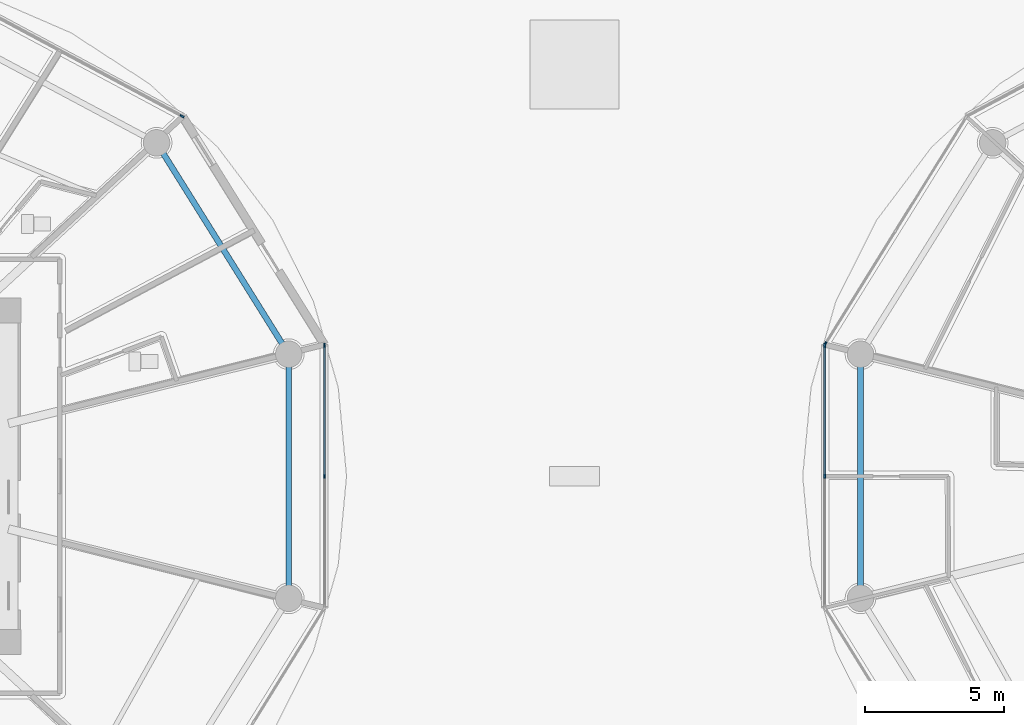
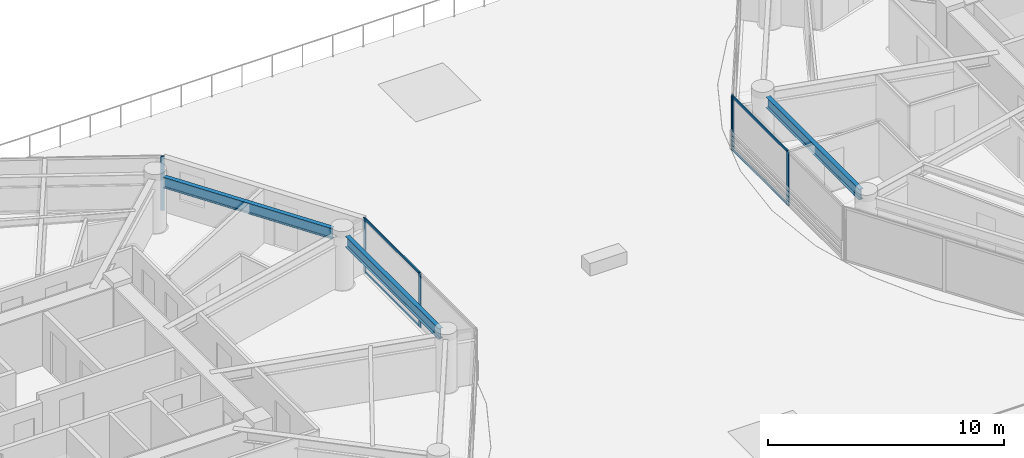
# One storey, part 7 of 32: 10 members, 3 beams, 4 elements without a shape of their own.
"""IFC4 building model written with IfcOpenShell, lengths in metres."""

from ifc_helpers import new_model, si_unit, direction, frame, origin, origin_2d, place, context, subcontext, project, spatial, rectangle, i_section, extrude, source, transform, mapped, material, layer, layer_set, material_profile, profile_set, type_object, type_shapes, element, aggregate, save


model = new_model("IFC4")

# Units and contexts
model_context = context("Model", 3, precision=1e-05, world=origin(), true_north=direction((0.0, 1.0)))
body_context = subcontext(model_context, "Body", "Model", "MODEL_VIEW")
ifc_project = project(units=[si_unit("LENGTHUNIT", "METRE"), si_unit("AREAUNIT", "SQUARE_METRE"), si_unit("VOLUMEUNIT", "CUBIC_METRE"), si_unit("PLANEANGLEUNIT", "RADIAN"), si_unit("MASSUNIT", "GRAM", prefix="KILO")], contexts=[model_context])

# Site, building, storey
site_placement = place(None, origin())
site = spatial("IfcSite", under=ifc_project, at=site_placement, CompositionType="ELEMENT")
building_placement = place(site_placement, origin())
building = spatial("IfcBuilding", under=site, at=building_placement, Name="Norrkilde Senior Care Towers", CompositionType="ELEMENT")
storey_placement = place(building_placement, frame((0.0, 0.0, 21.60009765625)))
storey = spatial("IfcBuildingStorey", under=building, at=storey_placement, Name="L05", CompositionType="ELEMENT", Elevation=21.60009765625)

# Beams
ifc_material_1 = material(Name="Steel S355", Category="steel")
ifc_material_profile_1 = material_profile(ifc_material_1, i_section(OverallWidth=0.2099609375, OverallDepth=0.550048828125, WebThickness=0.010986328125, FlangeThickness=0.01708984375, FilletRadius=0.02392578125, at=origin_2d()), Name="IPE 550")
ifc_profile_set_1 = profile_set([ifc_material_profile_1], Name="Steel S355")
beam_type = type_object("IfcBeamType", Name="Perimeter Ring Spandrel Z1 IPE550", PredefinedType="SPANDREL", material=ifc_profile_set_1)
shared_shape_1 = source(origin(), body_context, "Body", "SweptSolid", [
    extrude(i_section(OverallWidth=0.2099609375, OverallDepth=0.550048828125, WebThickness=0.010986328125, FlangeThickness=0.01708984375, FilletRadius=0.02392578125, at=origin_2d()), origin(), (0.0, 0.0, 1.0), 8.090576171875),
])
beam_placement = place(storey_placement, frame((-10.505859375, 4.755859375, 2.514892578125), z_axis=(-0.530004364821, 0.84799491347, 0.0), x_axis=(-0.84799491347, -0.530004364821, 0.0)))
element("IfcBeam", 1, at=beam_placement, inside=storey, type_object=beam_type, Name="L05 Drum W Perimeter Spandrel 01", PredefinedType="SPANDREL", context=body_context, shape_type="MappedRepresentation", body=[
    mapped(shared_shape_1, transform((0.0, 0.0, 0.0), x_axis=(1.0, 0.0, 0.0), y_axis=(0.0, 1.0, 0.0), z_axis=(0.0, 0.0, 1.0), scale=1.0)),
])
shared_shape_2 = source(origin(), body_context, "Body", "SweptSolid", [
    extrude(i_section(OverallWidth=0.2099609375, OverallDepth=0.550048828125, WebThickness=0.010986328125, FlangeThickness=0.01708984375, FilletRadius=0.02392578125, at=origin_2d()), origin(), (0.0, 0.0, 1.0), 7.90380859375),
])
type_shapes(beam_type, [shared_shape_1, shared_shape_2])
for number, where, z_axis, x_axis, name in (
    (2, (-10.275146484375, -3.951904296875, 2.514892578125), (0.0, 1.0, 0.0), (-1.0, 0.0, 0.0), "L05 Drum W Perimeter Spandrel 12"),
    (3, (10.275146484375, 3.951904296875, 2.514892578125), (0.0, -1.0, 0.0), (1.0, 0.0, 0.0), "L05 Drum E Perimeter Spandrel 06"),
):
    element("IfcBeam", number, at=place(storey_placement, frame(where, z_axis=z_axis, x_axis=x_axis)), inside=storey, type_object=beam_type, Name=name, PredefinedType="SPANDREL", context=body_context, shape_type="MappedRepresentation", body=[
        mapped(shared_shape_2, transform((0.0, 0.0, 0.0), x_axis=(1.0, 0.0, 0.0), y_axis=(0.0, 1.0, 0.0), z_axis=(0.0, 0.0, 1.0), scale=1.0)),
    ])

# Curtain wall, member
ifc_material_2 = material(Name="Triple Low-E Insulated Glazing", Category="glass")
ifc_layer = layer(ifc_material_2, 0.199951171875)
ifc_layer_set = layer_set([ifc_layer], Name="Triple Low-E Insulated Glazing")
curtain_wall_type = type_object("IfcCurtainWallType", Name="CW2 Zone 1 Memory Care Curtain Wall", PredefinedType="NOTDEFINED", material=ifc_layer_set)
curtain_wall_1_placement = place(storey_placement, origin())
curtain_wall_1 = element("IfcCurtainWall", 4, at=curtain_wall_1_placement, inside=storey, type_object=curtain_wall_type, Name="L05 Drum W Curtain Wall 01", PredefinedType="NOTDEFINED")
ifc_material_3 = material(Name="Anodised Aluminium", Category="aluminium")
ifc_material_profile_2 = material_profile(ifc_material_3, rectangle(XDim=0.06494140625, YDim=0.159912109375, at=origin_2d()), Name="ALU MULL 65x160")
ifc_profile_set_2 = profile_set([ifc_material_profile_2], Name="Anodised Aluminium")
member_type_1 = type_object("IfcMemberType", Name="Curtain Wall Mullion Z1-Z2 65x160", PredefinedType="MULLION", material=ifc_profile_set_2)
shared_shape_3 = source(origin(), body_context, "Body", "SweptSolid", [
    extrude(rectangle(XDim=0.06494140625, YDim=0.159912109375, at=origin_2d()), origin(), (0.0, 0.0, 1.0), 2.789794921875),
])
type_shapes(member_type_1, [shared_shape_3])
member_1_placement = place(storey_placement, frame((-14.11279296875, 12.941162109375, 0.0), z_axis=(0.0, 0.0, 1.0), x_axis=(0.472607802456, 0.881272866403, 0.0)))
member_1 = element("IfcMember", 5, at=member_1_placement, type_object=member_type_1, Name="CW-2 mullion 3", PredefinedType="MULLION", context=body_context, shape_type="MappedRepresentation", body=[
    mapped(shared_shape_3, transform((0.0, 0.0, 0.0), x_axis=(1.0, 0.0, 0.0), y_axis=(0.0, 1.0, 0.0), z_axis=(0.0, 0.0, 1.0), scale=1.0)),
])
aggregate(curtain_wall_1, [member_1])

# Curtain wall, members
curtain_wall_2_placement = place(storey_placement, origin())
curtain_wall_2 = element("IfcCurtainWall", 6, at=curtain_wall_2_placement, inside=storey, type_object=curtain_wall_type, Name="L05 Drum W Curtain Wall 11", PredefinedType="NOTDEFINED")
member_2_placement = place(storey_placement, frame((-8.990478515625, 4.69873046875, 0.0), z_axis=(0.0, 0.0, 1.0), x_axis=(1.0, 0.0, 0.0)))
member_2 = element("IfcMember", 7, at=member_2_placement, type_object=member_type_1, Name="CW-2 mullion 1", PredefinedType="MULLION", context=body_context, shape_type="MappedRepresentation", body=[
    mapped(shared_shape_3, transform((0.0, 0.0, 0.0), x_axis=(1.0, 0.0, 0.0), y_axis=(0.0, 1.0, 0.0), z_axis=(0.0, 0.0, 1.0), scale=1.0)),
])
member_3_placement = place(storey_placement, frame((-8.990478515625, 0.0, 0.0), z_axis=(0.0, 0.0, 1.0), x_axis=(1.0, 0.0, 0.0)))
member_3 = element("IfcMember", 8, at=member_3_placement, type_object=member_type_1, Name="CW-2 mullion 2", PredefinedType="MULLION", context=body_context, shape_type="MappedRepresentation", body=[
    mapped(shared_shape_3, transform((0.0, 0.0, 0.0), x_axis=(1.0, 0.0, 0.0), y_axis=(0.0, 1.0, 0.0), z_axis=(0.0, 0.0, 1.0), scale=1.0)),
])

# Curtain wall, member
curtain_wall_3_placement = place(storey_placement, origin())
curtain_wall_3 = element("IfcCurtainWall", 9, at=curtain_wall_3_placement, inside=storey, type_object=curtain_wall_type, Name="L05 Drum E Curtain Wall 04", PredefinedType="NOTDEFINED")
member_4_placement = place(storey_placement, frame((9.0078125, 4.7587890625, 0.0), z_axis=(0.0, 0.0, 1.0), x_axis=(-0.849305943117, 0.527900951871, 0.0)))
member_4 = element("IfcMember", 10, at=member_4_placement, type_object=member_type_1, Name="CW-2 mullion 1", PredefinedType="MULLION", context=body_context, shape_type="MappedRepresentation", body=[
    mapped(shared_shape_3, transform((0.0, 0.0, 0.0), x_axis=(1.0, 0.0, 0.0), y_axis=(0.0, 1.0, 0.0), z_axis=(0.0, 0.0, 1.0), scale=1.0)),
])
aggregate(curtain_wall_3, [member_4])

# Curtain wall, members
curtain_wall_4_placement = place(storey_placement, origin())
curtain_wall_4 = element("IfcCurtainWall", 11, at=curtain_wall_4_placement, inside=storey, type_object=curtain_wall_type, Name="L05 Drum E Curtain Wall 05", PredefinedType="NOTDEFINED")
member_5_placement = place(storey_placement, frame((8.990478515625, 0.0, 0.0), z_axis=(0.0, 0.0, 1.0), x_axis=(-1.0, 0.0, 0.0)))
member_5 = element("IfcMember", 12, at=member_5_placement, type_object=member_type_1, Name="CW-2 mullion 2", PredefinedType="MULLION", context=body_context, shape_type="MappedRepresentation", body=[
    mapped(shared_shape_3, transform((0.0, 0.0, 0.0), x_axis=(1.0, 0.0, 0.0), y_axis=(0.0, 1.0, 0.0), z_axis=(0.0, 0.0, 1.0), scale=1.0)),
])
member_6_placement = place(storey_placement, frame((8.990478515625, 4.69873046875, 0.0), z_axis=(0.0, 0.0, 1.0), x_axis=(-1.0, 0.0, 0.0)))
member_6 = element("IfcMember", 13, at=member_6_placement, type_object=member_type_1, Name="CW-2 mullion 3", PredefinedType="MULLION", context=body_context, shape_type="MappedRepresentation", body=[
    mapped(shared_shape_3, transform((0.0, 0.0, 0.0), x_axis=(1.0, 0.0, 0.0), y_axis=(0.0, 1.0, 0.0), z_axis=(0.0, 0.0, 1.0), scale=1.0)),
])

# Member
ifc_material_profile_3 = material_profile(ifc_material_3, rectangle(XDim=0.06005859375, YDim=0.1201171875, at=origin_2d()), Name="ALU TRAN 60x120")
ifc_profile_set_3 = profile_set([ifc_material_profile_3], Name="Anodised Aluminium")
member_type_2 = type_object("IfcMemberType", Name="Curtain Wall Transom Typical 60x120", PredefinedType="USERDEFINED", material=ifc_profile_set_3)
shared_shape_4 = source(origin(), body_context, "Body", "SweptSolid", [
    extrude(rectangle(XDim=0.06005859375, YDim=0.1201171875, at=origin_2d()), origin(), (0.0, 0.0, 1.0), 4.6337890625),
])
type_shapes(member_type_2, [shared_shape_4])
member_7_placement = place(storey_placement, frame((-8.990478515625, 4.666259765625, 0.02978515625), z_axis=(0.0, -1.0, 0.0), x_axis=(1.0, 0.0, 0.0)))
member_7 = element("IfcMember", 14, at=member_7_placement, type_object=member_type_2, Name="CW-2 transom 1.1", ObjectType="TRANSOM", PredefinedType="USERDEFINED", context=body_context, shape_type="MappedRepresentation", body=[
    mapped(shared_shape_4, transform((0.0, 0.0, 0.0), x_axis=(1.0, 0.0, 0.0), y_axis=(0.0, 1.0, 0.0), z_axis=(0.0, 0.0, 1.0), scale=1.0)),
])

member_8_placement = place(storey_placement, frame((-8.990478515625, 4.666259765625, 2.760009765625), z_axis=(0.0, -1.0, 0.0), x_axis=(1.0, 0.0, 0.0)))
member_8 = element("IfcMember", 15, at=member_8_placement, type_object=member_type_2, Name="CW-2 transom 1.2", ObjectType="TRANSOM", PredefinedType="USERDEFINED", context=body_context, shape_type="MappedRepresentation", body=[
    mapped(shared_shape_4, transform((0.0, 0.0, 0.0), x_axis=(1.0, 0.0, 0.0), y_axis=(0.0, 1.0, 0.0), z_axis=(0.0, 0.0, 1.0), scale=1.0)),
])

aggregate(curtain_wall_2, [member_2, member_3, member_7, member_8])

member_9_placement = place(storey_placement, frame((8.990478515625, 0.032470703125, 0.02978515625), z_axis=(0.0, 1.0, 0.0), x_axis=(-1.0, 0.0, 0.0)))
member_9 = element("IfcMember", 16, at=member_9_placement, type_object=member_type_2, Name="CW-2 transom 2.1", ObjectType="TRANSOM", PredefinedType="USERDEFINED", context=body_context, shape_type="MappedRepresentation", body=[
    mapped(shared_shape_4, transform((0.0, 0.0, 0.0), x_axis=(1.0, 0.0, 0.0), y_axis=(0.0, 1.0, 0.0), z_axis=(0.0, 0.0, 1.0), scale=1.0)),
])

member_10_placement = place(storey_placement, frame((8.990478515625, 0.032470703125, 2.760009765625), z_axis=(0.0, 1.0, 0.0), x_axis=(-1.0, 0.0, 0.0)))
member_10 = element("IfcMember", 17, at=member_10_placement, type_object=member_type_2, Name="CW-2 transom 2.2", ObjectType="TRANSOM", PredefinedType="USERDEFINED", context=body_context, shape_type="MappedRepresentation", body=[
    mapped(shared_shape_4, transform((0.0, 0.0, 0.0), x_axis=(1.0, 0.0, 0.0), y_axis=(0.0, 1.0, 0.0), z_axis=(0.0, 0.0, 1.0), scale=1.0)),
])

aggregate(curtain_wall_4, [member_5, member_6, member_9, member_10])

save(model, "model.ifc")
